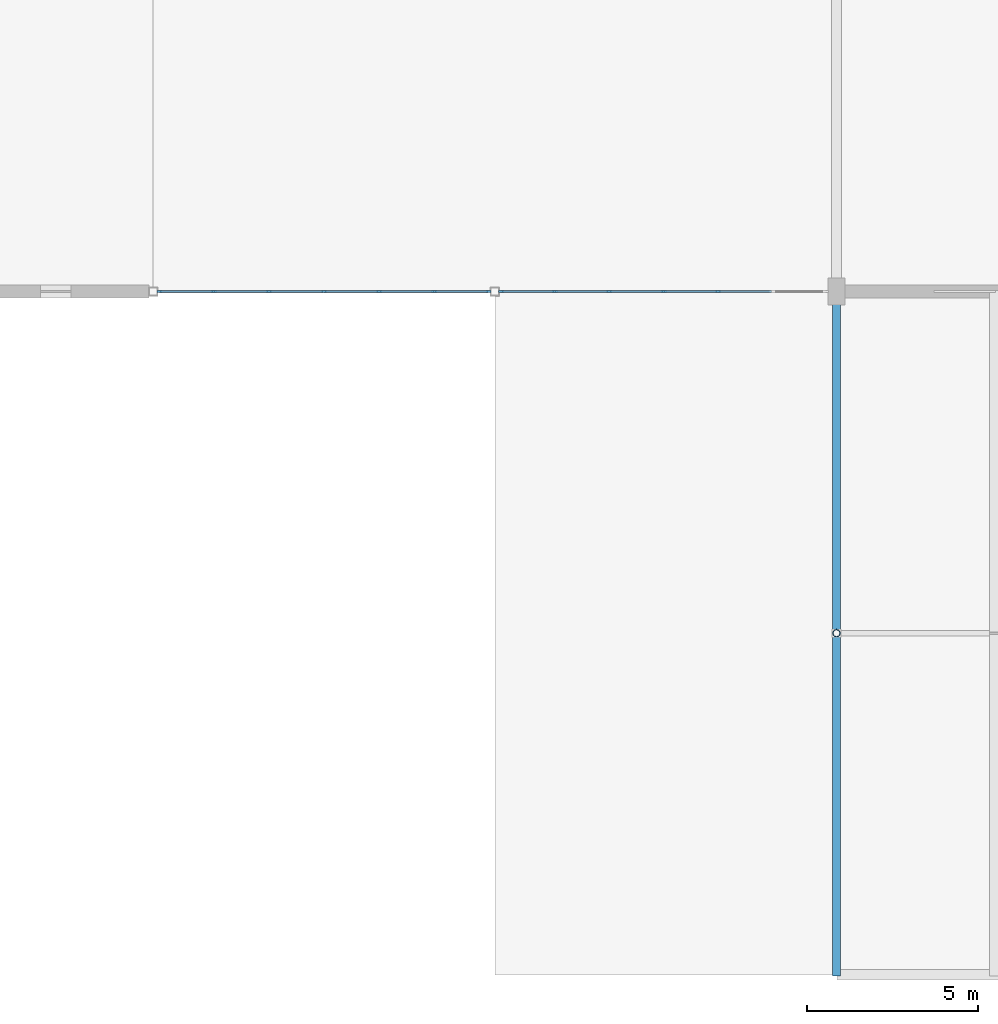
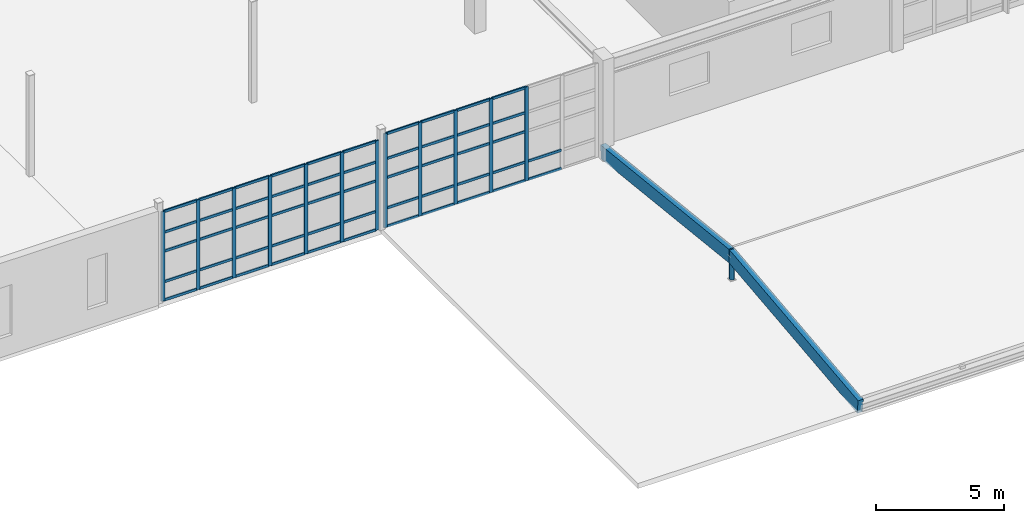
# One storey, part 39 of 139: 67 members, 2 elements without a shape of their own.
"""IFC4 building model written with IfcOpenShell, lengths in metres."""

import ifcopenshell
import ifcopenshell.guid

model = None  # the IFC model being written
_history = None  # IfcOwnerHistory: only IFC2X3 demands one
_inside = {}  # id of a spatial element -> (the spatial element, [elements in it])
_under = {}  # id of a project, library or spatial element -> (it, [spatial elements below it])
_declared = {}  # id of a project -> (the project, [libraries it declares])
_typed = {}  # id of a type object -> (the type object, [elements of that type])
_made_of = {}  # id of a material, layer set ... -> (it, [elements and type objects made of it])


def new_model(schema):
    """Start an empty IFC model of exactly this schema.

    Asked for "IFC4X3", IfcOpenShell would pick the latest addendum, in which some entities
    have other attributes; the version numbers below select the first issue.
    IFC2X3 requires an IfcOwnerHistory on every rooted entity: one is made here for all.
    """
    global model, _history
    if schema == "IFC4X3":
        model = ifcopenshell.file(schema_version=(4, 3, 0, 0))
    else:
        model = ifcopenshell.file(schema=schema)
    _inside.clear()
    _under.clear()
    _declared.clear()
    _typed.clear()
    _made_of.clear()
    _history = None
    if model.schema == "IFC2X3":
        org = make("IfcOrganization", Name="unknown")
        user = make(
            "IfcPersonAndOrganization",
            ThePerson=make("IfcPerson", FamilyName="unknown"),
            TheOrganization=org,
        )
        app = make(
            "IfcApplication",
            ApplicationDeveloper=org,
            Version="unknown",
            ApplicationFullName="unknown",
            ApplicationIdentifier="unknown",
        )
        _history = make(
            "IfcOwnerHistory",
            OwningUser=user,
            OwningApplication=app,
            ChangeAction="ADDED",
            CreationDate=0,
        )
    return model


def make(cls, **values):
    """One entity of the class cls with the attributes given. An attribute that is None is left unset."""
    return model.create_entity(
        cls, **{name: value for name, value in values.items() if value is not None}
    )


def rooted(cls, **values):
    """An entity with a GlobalId (a new one), such as an element, a storey or a relation."""
    return make(cls, GlobalId=ifcopenshell.guid.new(), OwnerHistory=_history, **values)


def si_unit(unit_type, name, prefix=None):
    """IfcSIUnit, for example si_unit("LENGTHUNIT", "METRE", prefix="MILLI")."""
    return make("IfcSIUnit", UnitType=unit_type, Prefix=prefix, Name=name)


def assignment(units):
    """IfcUnitAssignment: the units of a project."""
    return None if units is None else make("IfcUnitAssignment", Units=units)


def point(xyz):
    """IfcCartesianPoint."""
    return None if xyz is None else make("IfcCartesianPoint", Coordinates=xyz)


def direction(xyz):
    """IfcDirection."""
    return None if xyz is None else make("IfcDirection", DirectionRatios=xyz)


def frame(location, z_axis=None, x_axis=None):
    """IfcAxis2Placement3D, a coordinate frame: its origin and axes. An axis left out is left unset."""
    return make(
        "IfcAxis2Placement3D",
        Location=point(location),
        Axis=direction(z_axis),
        RefDirection=direction(x_axis),
    )


def frame_2d(location, x_axis=None):
    """IfcAxis2Placement2D, a coordinate frame in the plane: its origin and x axis."""
    return make(
        "IfcAxis2Placement2D", Location=point(location), RefDirection=direction(x_axis)
    )


def origin():
    """The frame at (0, 0, 0) with its axes left unset."""
    return frame((0.0, 0.0, 0.0))


def origin_2d():
    """The frame at (0, 0) in the plane with its x axis left unset."""
    return frame_2d((0.0, 0.0))


def place(relative_to, where):
    """IfcLocalPlacement: puts the frame where relative to a parent placement (None: the world)."""
    return make(
        "IfcLocalPlacement", PlacementRelTo=relative_to, RelativePlacement=where
    )


def context(
    kind, dimensions, precision=None, world=None, true_north=None, identifier=None
):
    """IfcGeometricRepresentationContext, for example the 3D "Model" context."""
    return make(
        "IfcGeometricRepresentationContext",
        ContextIdentifier=identifier,
        ContextType=kind,
        CoordinateSpaceDimension=dimensions,
        Precision=precision,
        WorldCoordinateSystem=world,
        TrueNorth=true_north,
    )


def subcontext(parent, identifier, kind, view, scale=None):
    """IfcGeometricRepresentationSubContext, for example "Body" below "Model"."""
    return make(
        "IfcGeometricRepresentationSubContext",
        ContextIdentifier=identifier,
        ContextType=kind,
        ParentContext=parent,
        TargetScale=scale,
        TargetView=view,
    )


def project(units=None, contexts=None):
    """IfcProject with its units and contexts."""
    return rooted(
        "IfcProject",
        Name="project",
        RepresentationContexts=contexts,
        UnitsInContext=assignment(units),
    )


def spatial(cls, under=None, at=None, **own):
    """A site, building, storey or space (cls), placed at a placement, below another one or the project."""
    s = rooted(cls, ObjectPlacement=at, **own)
    if under is not None:
        _under.setdefault(under.id(), (under, []))[1].append(s)
    return s


def profile(cls, at=None, kind="AREA", **sizes):
    """A parametric profile (cls). Its sizes go by their IFC names, for example OverallWidth=200.0."""
    return make(cls, ProfileType=kind, Position=at, **sizes)


def rectangle(**sizes):
    """IfcRectangleProfileDef."""
    return profile("IfcRectangleProfileDef", **sizes)


def hollow_circle(**sizes):
    """IfcCircleHollowProfileDef."""
    return profile("IfcCircleHollowProfileDef", **sizes)


def extrude(swept, where, along, depth):
    """IfcExtrudedAreaSolid: the profile swept, set in the frame where, extruded along a direction by depth."""
    return make(
        "IfcExtrudedAreaSolid",
        SweptArea=swept,
        Position=where,
        ExtrudedDirection=direction(along),
        Depth=depth,
    )


def shape(context_of_items, identifier, shape_type, items):
    """IfcShapeRepresentation: the items that make up one representation, for example the "Body"."""
    return make(
        "IfcShapeRepresentation",
        ContextOfItems=context_of_items,
        RepresentationIdentifier=identifier,
        RepresentationType=shape_type,
        Items=items,
    )


def material(Name=None, Category=None):
    """IfcMaterial."""
    return make("IfcMaterial", Name=Name, Category=Category)


def layer(
    of_material, thickness, ventilated=None, Name=None, Category=None, Priority=None
):
    """IfcMaterialLayer: one layer of a wall or slab, of a material (None: an air gap)."""
    return make(
        "IfcMaterialLayer",
        Material=of_material,
        LayerThickness=thickness,
        IsVentilated=ventilated,
        Name=Name,
        Category=Category,
        Priority=Priority,
    )


def layer_set(layers, Name=None):
    """IfcMaterialLayerSet."""
    return make("IfcMaterialLayerSet", MaterialLayers=layers, LayerSetName=Name)


def material_profile(
    of_material, cross_section, Name=None, Category=None, Priority=None
):
    """IfcMaterialProfile: a cross section and its material."""
    return make(
        "IfcMaterialProfile",
        Name=Name,
        Material=of_material,
        Profile=cross_section,
        Priority=Priority,
        Category=Category,
    )


def profile_set(profiles, Name=None, composite=None):
    """IfcMaterialProfileSet."""
    return make(
        "IfcMaterialProfileSet",
        Name=Name,
        MaterialProfiles=profiles,
        CompositeProfile=composite,
    )


def made_of(thing, what):
    """Note that an element or type object is made of a material, layer set ...; save() writes the relation."""
    if what is not None:
        _made_of.setdefault(what.id(), (what, []))[1].append(thing)
    return thing


def type_object(cls, material=None, **own):
    """A type object (cls), such as IfcWallType, which elements share."""
    return made_of(rooted(cls, **own), material)


def element(
    cls,
    number,
    at=None,
    inside=None,
    cuts=None,
    type_object=None,
    material=None,
    context=None,
    identifier="Body",
    shape_type=None,
    held_by="IfcProductDefinitionShape",
    body=None,
    shapes=None,
    **own,
):
    """One element of the class cls, such as IfcWall. Its Tag is "e" and its number.

    at: its placement. inside: the storey or other place that contains it. cuts: it is an
    opening in that element (IfcRelVoidsElement). A single representation is given by context,
    identifier, shape_type and body (its items); several are given by shapes. held_by: the class
    of the entity that holds the representations. save() writes the other relations.
    """
    e = rooted(cls, Tag="e%d" % number, ObjectPlacement=at, **own)
    if body is not None:
        shapes = [shape(context, identifier, shape_type, body)]
    if shapes is not None:
        e.Representation = make(held_by, Representations=shapes)
    if inside is not None:
        _inside.setdefault(inside.id(), (inside, []))[1].append(e)
    if cuts is not None:
        rooted(
            "IfcRelVoidsElement", RelatingBuildingElement=cuts, RelatedOpeningElement=e
        )
    if type_object is not None:
        _typed.setdefault(type_object.id(), (type_object, []))[1].append(e)
    return made_of(e, material)


def aggregate(whole, parts):
    """IfcRelAggregates: a whole, such as a stair, and the parts it consists of."""
    return rooted("IfcRelAggregates", RelatingObject=whole, RelatedObjects=parts)


def save(model, path):
    """Write the relations noted so far, then the file.

    IfcRelAggregates (storeys below a building ...), IfcRelContainedInSpatialStructure (elements
    in a storey), IfcRelDefinesByType, IfcRelAssociatesMaterial and IfcRelDeclares: one each for
    every whole, place, type object, material and project.
    """
    for whole, parts in _under.values():
        aggregate(whole, parts)
    for where, things in _inside.values():
        rooted(
            "IfcRelContainedInSpatialStructure",
            RelatedElements=things,
            RelatingStructure=where,
        )
    for kind, things in _typed.values():
        rooted("IfcRelDefinesByType", RelatedObjects=things, RelatingType=kind)
    for what, things in _made_of.values():
        rooted("IfcRelAssociatesMaterial", RelatedObjects=things, RelatingMaterial=what)
    for by, libraries in _declared.values():
        rooted("IfcRelDeclares", RelatingContext=by, RelatedDefinitions=libraries)
    model.write(path)


model = new_model("IFC4")

# Units and contexts
model_context = context("Model", 3, precision=1e-05, world=origin(), true_north=direction((0.0, 1.0)))
body_context = subcontext(model_context, "Body", "Model", "MODEL_VIEW")
ifc_project = project(units=[si_unit("LENGTHUNIT", "METRE"), si_unit("AREAUNIT", "SQUARE_METRE"), si_unit("VOLUMEUNIT", "CUBIC_METRE"), si_unit("PLANEANGLEUNIT", "RADIAN"), si_unit("MASSUNIT", "GRAM", prefix="KILO"), si_unit("THERMODYNAMICTEMPERATUREUNIT", "KELVIN"), si_unit("POWERUNIT", "WATT")], contexts=[model_context])

# Site, building, storey
site_placement = place(None, origin())
site = spatial("IfcSite", under=ifc_project, at=site_placement, CompositionType="ELEMENT")
building_placement = place(site_placement, origin())
building = spatial("IfcBuilding", under=site, at=building_placement, Name="Korenveer Ferry Terminal", CompositionType="ELEMENT")
storey_placement = place(building_placement, frame((0.0, 0.0, 5.39990234375)))
storey = spatial("IfcBuildingStorey", under=building, at=storey_placement, Name="L01", CompositionType="ELEMENT", Elevation=5.39990234375)

# Curtain wall, members
ifc_material_1 = material(Name="Unitised bronze-and-glass curtain wall", Category="glass")
ifc_layer_1 = layer(ifc_material_1, 0.159912109375)
ifc_layer_set_1 = layer_set([ifc_layer_1], Name="Unitised bronze-and-glass curtain wall")
curtain_wall_type_1 = type_object("IfcCurtainWallType", Name="ENV-CW-40", PredefinedType="USERDEFINED", material=ifc_layer_set_1)
curtain_wall_1_placement = place(storey_placement, frame((103.155029296875, 20.0, 0.0)))
curtain_wall_1 = element("IfcCurtainWall", 1, at=curtain_wall_1_placement, inside=storey, type_object=curtain_wall_type_1, Name="Lancet curtain wall CWX-L01-X103-113-Y20-20", ObjectType="UNITISED CURTAIN WALL", PredefinedType="USERDEFINED")
ifc_material_2 = material(Name="Anodised bronze aluminium", Category="aluminium")
ifc_material_profile_1 = material_profile(ifc_material_2, rectangle(XDim=0.06005859375, YDim=0.159912109375, at=origin_2d()), Name="ALU 60x160")
ifc_profile_set_1 = profile_set([ifc_material_profile_1], Name="Anodised bronze aluminium")
member_type_1 = type_object("IfcMemberType", Name="ENV-CWM-60X160", PredefinedType="MULLION", material=ifc_profile_set_1)
member_1_placement = place(storey_placement, frame((103.18505859375, 20.0, 0.0), z_axis=(0.0, 0.0, 1.0), x_axis=(0.0, 1.0, 0.0)))
member_1 = element("IfcMember", 2, at=member_1_placement, type_object=member_type_1, Name="CW-40 mullion 1", PredefinedType="MULLION", context=body_context, shape_type="SweptSolid", body=[
    extrude(rectangle(XDim=0.06005859375, YDim=0.159912109375, at=origin_2d()), origin(), (0.0, 0.0, 1.0), 4.260009765625),
])
member_2_placement = place(storey_placement, frame((104.77001953125, 20.0, 0.0), z_axis=(0.0, 0.0, 1.0), x_axis=(0.0, 1.0, 0.0)))
member_2 = element("IfcMember", 3, at=member_2_placement, type_object=member_type_1, Name="CW-40 mullion 2", PredefinedType="MULLION", context=body_context, shape_type="SweptSolid", body=[
    extrude(rectangle(XDim=0.06005859375, YDim=0.159912109375, at=origin_2d()), origin(), (0.0, 0.0, 1.0), 4.260009765625),
])
member_3_placement = place(storey_placement, frame((106.385009765625, 20.0, 0.0), z_axis=(0.0, 0.0, 1.0), x_axis=(0.0, 1.0, 0.0)))
member_3 = element("IfcMember", 4, at=member_3_placement, type_object=member_type_1, Name="CW-40 mullion 3", PredefinedType="MULLION", context=body_context, shape_type="SweptSolid", body=[
    extrude(rectangle(XDim=0.06005859375, YDim=0.159912109375, at=origin_2d()), origin(), (0.0, 0.0, 1.0), 4.260009765625),
])
member_4_placement = place(storey_placement, frame((108.0, 20.0, 0.0), z_axis=(0.0, 0.0, 1.0), x_axis=(0.0, 1.0, 0.0)))
member_4 = element("IfcMember", 5, at=member_4_placement, type_object=member_type_1, Name="CW-40 mullion 4", PredefinedType="MULLION", context=body_context, shape_type="SweptSolid", body=[
    extrude(rectangle(XDim=0.06005859375, YDim=0.159912109375, at=origin_2d()), origin(), (0.0, 0.0, 1.0), 4.260009765625),
])
member_5_placement = place(storey_placement, frame((109.614990234375, 20.0, 0.0), z_axis=(0.0, 0.0, 1.0), x_axis=(0.0, 1.0, 0.0)))
member_5 = element("IfcMember", 6, at=member_5_placement, type_object=member_type_1, Name="CW-40 mullion 5", PredefinedType="MULLION", context=body_context, shape_type="SweptSolid", body=[
    extrude(rectangle(XDim=0.06005859375, YDim=0.159912109375, at=origin_2d()), origin(), (0.0, 0.0, 1.0), 4.260009765625),
])
member_6_placement = place(storey_placement, frame((111.22998046875, 20.0, 0.0), z_axis=(0.0, 0.0, 1.0), x_axis=(0.0, 1.0, 0.0)))
member_6 = element("IfcMember", 7, at=member_6_placement, type_object=member_type_1, Name="CW-40 mullion 6", PredefinedType="MULLION", context=body_context, shape_type="SweptSolid", body=[
    extrude(rectangle(XDim=0.06005859375, YDim=0.159912109375, at=origin_2d()), origin(), (0.0, 0.0, 1.0), 4.260009765625),
])
member_7_placement = place(storey_placement, frame((112.81494140625, 20.0, 0.0), z_axis=(0.0, 0.0, 1.0), x_axis=(0.0, 1.0, 0.0)))
member_7 = element("IfcMember", 8, at=member_7_placement, type_object=member_type_1, Name="CW-40 mullion 7", PredefinedType="MULLION", context=body_context, shape_type="SweptSolid", body=[
    extrude(rectangle(XDim=0.06005859375, YDim=0.159912109375, at=origin_2d()), origin(), (0.0, 0.0, 1.0), 4.260009765625),
])

ifc_layer_2 = layer(ifc_material_1, 0.159912109375)
ifc_layer_set_2 = layer_set([ifc_layer_2], Name="Unitised bronze-and-glass curtain wall")
curtain_wall_type_2 = type_object("IfcCurtainWallType", Name="ENV-CW-39", PredefinedType="USERDEFINED", material=ifc_layer_set_2)
curtain_wall_2_placement = place(storey_placement, frame((113.155029296875, 20.0, 0.0)))
curtain_wall_2 = element("IfcCurtainWall", 9, at=curtain_wall_2_placement, inside=storey, type_object=curtain_wall_type_2, Name="Lancet curtain wall CWX-L01-X113-123-Y20-20", ObjectType="UNITISED CURTAIN WALL", PredefinedType="USERDEFINED")
member_8_placement = place(storey_placement, frame((113.18505859375, 20.0, 0.0), z_axis=(0.0, 0.0, 1.0), x_axis=(0.0, 1.0, 0.0)))
member_8 = element("IfcMember", 10, at=member_8_placement, type_object=member_type_1, Name="CW-39 mullion 1", PredefinedType="MULLION", context=body_context, shape_type="SweptSolid", body=[
    extrude(rectangle(XDim=0.06005859375, YDim=0.159912109375, at=origin_2d()), origin(), (0.0, 0.0, 1.0), 4.460205078125),
])
member_9_placement = place(storey_placement, frame((114.749267578125, 20.0, 0.0), z_axis=(0.0, 0.0, 1.0), x_axis=(0.0, 1.0, 0.0)))
member_9 = element("IfcMember", 11, at=member_9_placement, type_object=member_type_1, Name="CW-39 mullion 2", PredefinedType="MULLION", context=body_context, shape_type="SweptSolid", body=[
    extrude(rectangle(XDim=0.06005859375, YDim=0.159912109375, at=origin_2d()), origin(), (0.0, 0.0, 1.0), 4.460205078125),
])
member_10_placement = place(storey_placement, frame((116.34326171875, 20.0, 0.0), z_axis=(0.0, 0.0, 1.0), x_axis=(0.0, 1.0, 0.0)))
member_10 = element("IfcMember", 12, at=member_10_placement, type_object=member_type_1, Name="CW-39 mullion 3", PredefinedType="MULLION", context=body_context, shape_type="SweptSolid", body=[
    extrude(rectangle(XDim=0.06005859375, YDim=0.159912109375, at=origin_2d()), origin(), (0.0, 0.0, 1.0), 4.460205078125),
])
member_11_placement = place(storey_placement, frame((117.9375, 20.0, 0.0), z_axis=(0.0, 0.0, 1.0), x_axis=(0.0, 1.0, 0.0)))
member_11 = element("IfcMember", 13, at=member_11_placement, type_object=member_type_1, Name="CW-39 mullion 4", PredefinedType="MULLION", context=body_context, shape_type="SweptSolid", body=[
    extrude(rectangle(XDim=0.06005859375, YDim=0.159912109375, at=origin_2d()), origin(), (0.0, 0.0, 1.0), 4.460205078125),
])
member_12_placement = place(storey_placement, frame((119.53173828125, 20.0, 0.0), z_axis=(0.0, 0.0, 1.0), x_axis=(0.0, 1.0, 0.0)))
member_12 = element("IfcMember", 14, at=member_12_placement, type_object=member_type_1, Name="CW-39 mullion 5", PredefinedType="MULLION", context=body_context, shape_type="SweptSolid", body=[
    extrude(rectangle(XDim=0.06005859375, YDim=0.159912109375, at=origin_2d()), origin(), (0.0, 0.0, 1.0), 4.460205078125),
])

# Member
ifc_material_profile_2 = material_profile(ifc_material_2, rectangle(XDim=0.06005859375, YDim=0.1201171875, at=origin_2d()), Name="ALU 60x120")
ifc_profile_set_2 = profile_set([ifc_material_profile_2], Name="Anodised bronze aluminium")
member_type_2 = type_object("IfcMemberType", Name="ENV-CWT-60X120", PredefinedType="USERDEFINED", material=ifc_profile_set_2)
member_13_placement = place(storey_placement, frame((103.215087890625, 20.0, 0.030029296875), z_axis=(1.0, 0.0, 0.0), x_axis=(0.0, 1.0, 0.0)))
member_13 = element("IfcMember", 15, at=member_13_placement, type_object=member_type_2, Name="CW-40 transom 1.1", ObjectType="TRANSOM", PredefinedType="USERDEFINED", context=body_context, shape_type="SweptSolid", body=[
    extrude(rectangle(XDim=0.06005859375, YDim=0.1201171875, at=origin_2d()), origin(), (0.0, 0.0, 1.0), 1.52490234375),
])

member_14_placement = place(storey_placement, frame((103.215087890625, 20.0, 0.900146484375), z_axis=(1.0, 0.0, 0.0), x_axis=(0.0, 1.0, 0.0)))
member_14 = element("IfcMember", 16, at=member_14_placement, type_object=member_type_2, Name="CW-40 transom 1.2", ObjectType="TRANSOM", PredefinedType="USERDEFINED", context=body_context, shape_type="SweptSolid", body=[
    extrude(rectangle(XDim=0.06005859375, YDim=0.1201171875, at=origin_2d()), origin(), (0.0, 0.0, 1.0), 1.52490234375),
])

member_15_placement = place(storey_placement, frame((103.215087890625, 20.0, 2.35009765625), z_axis=(1.0, 0.0, 0.0), x_axis=(0.0, 1.0, 0.0)))
member_15 = element("IfcMember", 17, at=member_15_placement, type_object=member_type_2, Name="CW-40 transom 1.3", ObjectType="TRANSOM", PredefinedType="USERDEFINED", context=body_context, shape_type="SweptSolid", body=[
    extrude(rectangle(XDim=0.06005859375, YDim=0.1201171875, at=origin_2d()), origin(), (0.0, 0.0, 1.0), 1.52490234375),
])

member_16_placement = place(storey_placement, frame((103.215087890625, 20.0, 3.25), z_axis=(1.0, 0.0, 0.0), x_axis=(0.0, 1.0, 0.0)))
member_16 = element("IfcMember", 18, at=member_16_placement, type_object=member_type_2, Name="CW-40 transom 1.4", ObjectType="TRANSOM", PredefinedType="USERDEFINED", context=body_context, shape_type="SweptSolid", body=[
    extrude(rectangle(XDim=0.06005859375, YDim=0.1201171875, at=origin_2d()), origin(), (0.0, 0.0, 1.0), 1.52490234375),
])

member_17_placement = place(storey_placement, frame((103.215087890625, 20.0, 4.22998046875), z_axis=(1.0, 0.0, 0.0), x_axis=(0.0, 1.0, 0.0)))
member_17 = element("IfcMember", 19, at=member_17_placement, type_object=member_type_2, Name="CW-40 transom 1.5", ObjectType="TRANSOM", PredefinedType="USERDEFINED", context=body_context, shape_type="SweptSolid", body=[
    extrude(rectangle(XDim=0.06005859375, YDim=0.1201171875, at=origin_2d()), origin(), (0.0, 0.0, 1.0), 1.52490234375),
])

member_18_placement = place(storey_placement, frame((104.800048828125, 20.0, 0.030029296875), z_axis=(1.0, 0.0, 0.0), x_axis=(0.0, 1.0, 0.0)))
member_18 = element("IfcMember", 20, at=member_18_placement, type_object=member_type_2, Name="CW-40 transom 2.1", ObjectType="TRANSOM", PredefinedType="USERDEFINED", context=body_context, shape_type="SweptSolid", body=[
    extrude(rectangle(XDim=0.06005859375, YDim=0.1201171875, at=origin_2d()), origin(), (0.0, 0.0, 1.0), 1.554931640625),
])

member_19_placement = place(storey_placement, frame((104.800048828125, 20.0, 0.900146484375), z_axis=(1.0, 0.0, 0.0), x_axis=(0.0, 1.0, 0.0)))
member_19 = element("IfcMember", 21, at=member_19_placement, type_object=member_type_2, Name="CW-40 transom 2.2", ObjectType="TRANSOM", PredefinedType="USERDEFINED", context=body_context, shape_type="SweptSolid", body=[
    extrude(rectangle(XDim=0.06005859375, YDim=0.1201171875, at=origin_2d()), origin(), (0.0, 0.0, 1.0), 1.554931640625),
])

member_20_placement = place(storey_placement, frame((104.800048828125, 20.0, 2.35009765625), z_axis=(1.0, 0.0, 0.0), x_axis=(0.0, 1.0, 0.0)))
member_20 = element("IfcMember", 22, at=member_20_placement, type_object=member_type_2, Name="CW-40 transom 2.3", ObjectType="TRANSOM", PredefinedType="USERDEFINED", context=body_context, shape_type="SweptSolid", body=[
    extrude(rectangle(XDim=0.06005859375, YDim=0.1201171875, at=origin_2d()), origin(), (0.0, 0.0, 1.0), 1.554931640625),
])

member_21_placement = place(storey_placement, frame((104.800048828125, 20.0, 3.25), z_axis=(1.0, 0.0, 0.0), x_axis=(0.0, 1.0, 0.0)))
member_21 = element("IfcMember", 23, at=member_21_placement, type_object=member_type_2, Name="CW-40 transom 2.4", ObjectType="TRANSOM", PredefinedType="USERDEFINED", context=body_context, shape_type="SweptSolid", body=[
    extrude(rectangle(XDim=0.06005859375, YDim=0.1201171875, at=origin_2d()), origin(), (0.0, 0.0, 1.0), 1.554931640625),
])

member_22_placement = place(storey_placement, frame((104.800048828125, 20.0, 4.22998046875), z_axis=(1.0, 0.0, 0.0), x_axis=(0.0, 1.0, 0.0)))
member_22 = element("IfcMember", 24, at=member_22_placement, type_object=member_type_2, Name="CW-40 transom 2.5", ObjectType="TRANSOM", PredefinedType="USERDEFINED", context=body_context, shape_type="SweptSolid", body=[
    extrude(rectangle(XDim=0.06005859375, YDim=0.1201171875, at=origin_2d()), origin(), (0.0, 0.0, 1.0), 1.554931640625),
])

member_23_placement = place(storey_placement, frame((106.4150390625, 20.0, 0.030029296875), z_axis=(1.0, 0.0, 0.0), x_axis=(0.0, 1.0, 0.0)))
member_23 = element("IfcMember", 25, at=member_23_placement, type_object=member_type_2, Name="CW-40 transom 3.1", ObjectType="TRANSOM", PredefinedType="USERDEFINED", context=body_context, shape_type="SweptSolid", body=[
    extrude(rectangle(XDim=0.06005859375, YDim=0.1201171875, at=origin_2d()), origin(), (0.0, 0.0, 1.0), 1.554931640625),
])

member_24_placement = place(storey_placement, frame((106.4150390625, 20.0, 0.900146484375), z_axis=(1.0, 0.0, 0.0), x_axis=(0.0, 1.0, 0.0)))
member_24 = element("IfcMember", 26, at=member_24_placement, type_object=member_type_2, Name="CW-40 transom 3.2", ObjectType="TRANSOM", PredefinedType="USERDEFINED", context=body_context, shape_type="SweptSolid", body=[
    extrude(rectangle(XDim=0.06005859375, YDim=0.1201171875, at=origin_2d()), origin(), (0.0, 0.0, 1.0), 1.554931640625),
])

member_25_placement = place(storey_placement, frame((106.4150390625, 20.0, 2.35009765625), z_axis=(1.0, 0.0, 0.0), x_axis=(0.0, 1.0, 0.0)))
member_25 = element("IfcMember", 27, at=member_25_placement, type_object=member_type_2, Name="CW-40 transom 3.3", ObjectType="TRANSOM", PredefinedType="USERDEFINED", context=body_context, shape_type="SweptSolid", body=[
    extrude(rectangle(XDim=0.06005859375, YDim=0.1201171875, at=origin_2d()), origin(), (0.0, 0.0, 1.0), 1.554931640625),
])

member_26_placement = place(storey_placement, frame((106.4150390625, 20.0, 3.25), z_axis=(1.0, 0.0, 0.0), x_axis=(0.0, 1.0, 0.0)))
member_26 = element("IfcMember", 28, at=member_26_placement, type_object=member_type_2, Name="CW-40 transom 3.4", ObjectType="TRANSOM", PredefinedType="USERDEFINED", context=body_context, shape_type="SweptSolid", body=[
    extrude(rectangle(XDim=0.06005859375, YDim=0.1201171875, at=origin_2d()), origin(), (0.0, 0.0, 1.0), 1.554931640625),
])

member_27_placement = place(storey_placement, frame((106.4150390625, 20.0, 4.22998046875), z_axis=(1.0, 0.0, 0.0), x_axis=(0.0, 1.0, 0.0)))
member_27 = element("IfcMember", 29, at=member_27_placement, type_object=member_type_2, Name="CW-40 transom 3.5", ObjectType="TRANSOM", PredefinedType="USERDEFINED", context=body_context, shape_type="SweptSolid", body=[
    extrude(rectangle(XDim=0.06005859375, YDim=0.1201171875, at=origin_2d()), origin(), (0.0, 0.0, 1.0), 1.554931640625),
])

member_28_placement = place(storey_placement, frame((108.030029296875, 20.0, 0.030029296875), z_axis=(1.0, 0.0, 0.0), x_axis=(0.0, 1.0, 0.0)))
member_28 = element("IfcMember", 30, at=member_28_placement, type_object=member_type_2, Name="CW-40 transom 4.1", ObjectType="TRANSOM", PredefinedType="USERDEFINED", context=body_context, shape_type="SweptSolid", body=[
    extrude(rectangle(XDim=0.06005859375, YDim=0.1201171875, at=origin_2d()), origin(), (0.0, 0.0, 1.0), 1.554931640625),
])

member_29_placement = place(storey_placement, frame((108.030029296875, 20.0, 0.900146484375), z_axis=(1.0, 0.0, 0.0), x_axis=(0.0, 1.0, 0.0)))
member_29 = element("IfcMember", 31, at=member_29_placement, type_object=member_type_2, Name="CW-40 transom 4.2", ObjectType="TRANSOM", PredefinedType="USERDEFINED", context=body_context, shape_type="SweptSolid", body=[
    extrude(rectangle(XDim=0.06005859375, YDim=0.1201171875, at=origin_2d()), origin(), (0.0, 0.0, 1.0), 1.554931640625),
])

member_30_placement = place(storey_placement, frame((108.030029296875, 20.0, 2.35009765625), z_axis=(1.0, 0.0, 0.0), x_axis=(0.0, 1.0, 0.0)))
member_30 = element("IfcMember", 32, at=member_30_placement, type_object=member_type_2, Name="CW-40 transom 4.3", ObjectType="TRANSOM", PredefinedType="USERDEFINED", context=body_context, shape_type="SweptSolid", body=[
    extrude(rectangle(XDim=0.06005859375, YDim=0.1201171875, at=origin_2d()), origin(), (0.0, 0.0, 1.0), 1.554931640625),
])

member_31_placement = place(storey_placement, frame((108.030029296875, 20.0, 3.25), z_axis=(1.0, 0.0, 0.0), x_axis=(0.0, 1.0, 0.0)))
member_31 = element("IfcMember", 33, at=member_31_placement, type_object=member_type_2, Name="CW-40 transom 4.4", ObjectType="TRANSOM", PredefinedType="USERDEFINED", context=body_context, shape_type="SweptSolid", body=[
    extrude(rectangle(XDim=0.06005859375, YDim=0.1201171875, at=origin_2d()), origin(), (0.0, 0.0, 1.0), 1.554931640625),
])

member_32_placement = place(storey_placement, frame((108.030029296875, 20.0, 4.22998046875), z_axis=(1.0, 0.0, 0.0), x_axis=(0.0, 1.0, 0.0)))
member_32 = element("IfcMember", 34, at=member_32_placement, type_object=member_type_2, Name="CW-40 transom 4.5", ObjectType="TRANSOM", PredefinedType="USERDEFINED", context=body_context, shape_type="SweptSolid", body=[
    extrude(rectangle(XDim=0.06005859375, YDim=0.1201171875, at=origin_2d()), origin(), (0.0, 0.0, 1.0), 1.554931640625),
])

member_33_placement = place(storey_placement, frame((109.64501953125, 20.0, 0.030029296875), z_axis=(1.0, 0.0, 0.0), x_axis=(0.0, 1.0, 0.0)))
member_33 = element("IfcMember", 35, at=member_33_placement, type_object=member_type_2, Name="CW-40 transom 5.1", ObjectType="TRANSOM", PredefinedType="USERDEFINED", context=body_context, shape_type="SweptSolid", body=[
    extrude(rectangle(XDim=0.06005859375, YDim=0.1201171875, at=origin_2d()), origin(), (0.0, 0.0, 1.0), 1.554931640625),
])

member_34_placement = place(storey_placement, frame((109.64501953125, 20.0, 0.900146484375), z_axis=(1.0, 0.0, 0.0), x_axis=(0.0, 1.0, 0.0)))
member_34 = element("IfcMember", 36, at=member_34_placement, type_object=member_type_2, Name="CW-40 transom 5.2", ObjectType="TRANSOM", PredefinedType="USERDEFINED", context=body_context, shape_type="SweptSolid", body=[
    extrude(rectangle(XDim=0.06005859375, YDim=0.1201171875, at=origin_2d()), origin(), (0.0, 0.0, 1.0), 1.554931640625),
])

member_35_placement = place(storey_placement, frame((109.64501953125, 20.0, 2.35009765625), z_axis=(1.0, 0.0, 0.0), x_axis=(0.0, 1.0, 0.0)))
member_35 = element("IfcMember", 37, at=member_35_placement, type_object=member_type_2, Name="CW-40 transom 5.3", ObjectType="TRANSOM", PredefinedType="USERDEFINED", context=body_context, shape_type="SweptSolid", body=[
    extrude(rectangle(XDim=0.06005859375, YDim=0.1201171875, at=origin_2d()), origin(), (0.0, 0.0, 1.0), 1.554931640625),
])

member_36_placement = place(storey_placement, frame((109.64501953125, 20.0, 3.25), z_axis=(1.0, 0.0, 0.0), x_axis=(0.0, 1.0, 0.0)))
member_36 = element("IfcMember", 38, at=member_36_placement, type_object=member_type_2, Name="CW-40 transom 5.4", ObjectType="TRANSOM", PredefinedType="USERDEFINED", context=body_context, shape_type="SweptSolid", body=[
    extrude(rectangle(XDim=0.06005859375, YDim=0.1201171875, at=origin_2d()), origin(), (0.0, 0.0, 1.0), 1.554931640625),
])

member_37_placement = place(storey_placement, frame((109.64501953125, 20.0, 4.22998046875), z_axis=(1.0, 0.0, 0.0), x_axis=(0.0, 1.0, 0.0)))
member_37 = element("IfcMember", 39, at=member_37_placement, type_object=member_type_2, Name="CW-40 transom 5.5", ObjectType="TRANSOM", PredefinedType="USERDEFINED", context=body_context, shape_type="SweptSolid", body=[
    extrude(rectangle(XDim=0.06005859375, YDim=0.1201171875, at=origin_2d()), origin(), (0.0, 0.0, 1.0), 1.554931640625),
])

member_38_placement = place(storey_placement, frame((111.260009765625, 20.0, 0.030029296875), z_axis=(1.0, 0.0, 0.0), x_axis=(0.0, 1.0, 0.0)))
member_38 = element("IfcMember", 40, at=member_38_placement, type_object=member_type_2, Name="CW-40 transom 6.1", ObjectType="TRANSOM", PredefinedType="USERDEFINED", context=body_context, shape_type="SweptSolid", body=[
    extrude(rectangle(XDim=0.06005859375, YDim=0.1201171875, at=origin_2d()), origin(), (0.0, 0.0, 1.0), 1.52490234375),
])

member_39_placement = place(storey_placement, frame((111.260009765625, 20.0, 0.900146484375), z_axis=(1.0, 0.0, 0.0), x_axis=(0.0, 1.0, 0.0)))
member_39 = element("IfcMember", 41, at=member_39_placement, type_object=member_type_2, Name="CW-40 transom 6.2", ObjectType="TRANSOM", PredefinedType="USERDEFINED", context=body_context, shape_type="SweptSolid", body=[
    extrude(rectangle(XDim=0.06005859375, YDim=0.1201171875, at=origin_2d()), origin(), (0.0, 0.0, 1.0), 1.52490234375),
])

member_40_placement = place(storey_placement, frame((111.260009765625, 20.0, 2.35009765625), z_axis=(1.0, 0.0, 0.0), x_axis=(0.0, 1.0, 0.0)))
member_40 = element("IfcMember", 42, at=member_40_placement, type_object=member_type_2, Name="CW-40 transom 6.3", ObjectType="TRANSOM", PredefinedType="USERDEFINED", context=body_context, shape_type="SweptSolid", body=[
    extrude(rectangle(XDim=0.06005859375, YDim=0.1201171875, at=origin_2d()), origin(), (0.0, 0.0, 1.0), 1.52490234375),
])

member_41_placement = place(storey_placement, frame((111.260009765625, 20.0, 3.25), z_axis=(1.0, 0.0, 0.0), x_axis=(0.0, 1.0, 0.0)))
member_41 = element("IfcMember", 43, at=member_41_placement, type_object=member_type_2, Name="CW-40 transom 6.4", ObjectType="TRANSOM", PredefinedType="USERDEFINED", context=body_context, shape_type="SweptSolid", body=[
    extrude(rectangle(XDim=0.06005859375, YDim=0.1201171875, at=origin_2d()), origin(), (0.0, 0.0, 1.0), 1.52490234375),
])

member_42_placement = place(storey_placement, frame((111.260009765625, 20.0, 4.22998046875), z_axis=(1.0, 0.0, 0.0), x_axis=(0.0, 1.0, 0.0)))
member_42 = element("IfcMember", 44, at=member_42_placement, type_object=member_type_2, Name="CW-40 transom 6.5", ObjectType="TRANSOM", PredefinedType="USERDEFINED", context=body_context, shape_type="SweptSolid", body=[
    extrude(rectangle(XDim=0.06005859375, YDim=0.1201171875, at=origin_2d()), origin(), (0.0, 0.0, 1.0), 1.52490234375),
])

aggregate(curtain_wall_1, [member_1, member_2, member_3, member_4, member_5, member_6, member_7, member_13, member_14, member_15, member_16, member_17, member_18, member_19, member_20, member_21, member_22, member_23, member_24, member_25, member_26, member_27, member_28, member_29, member_30, member_31, member_32, member_33, member_34, member_35, member_36, member_37, member_38, member_39, member_40, member_41, member_42])

member_43_placement = place(storey_placement, frame((113.215087890625, 20.0, 0.030029296875), z_axis=(1.0, 0.0, 0.0), x_axis=(0.0, 1.0, 0.0)))
member_43 = element("IfcMember", 45, at=member_43_placement, type_object=member_type_2, Name="CW-39 transom 1.1", ObjectType="TRANSOM", PredefinedType="USERDEFINED", context=body_context, shape_type="SweptSolid", body=[
    extrude(rectangle(XDim=0.06005859375, YDim=0.1201171875, at=origin_2d()), origin(), (0.0, 0.0, 1.0), 1.504150390625),
])

member_44_placement = place(storey_placement, frame((113.215087890625, 20.0, 0.900146484375), z_axis=(1.0, 0.0, 0.0), x_axis=(0.0, 1.0, 0.0)))
member_44 = element("IfcMember", 46, at=member_44_placement, type_object=member_type_2, Name="CW-39 transom 1.2", ObjectType="TRANSOM", PredefinedType="USERDEFINED", context=body_context, shape_type="SweptSolid", body=[
    extrude(rectangle(XDim=0.06005859375, YDim=0.1201171875, at=origin_2d()), origin(), (0.0, 0.0, 1.0), 1.504150390625),
])

member_45_placement = place(storey_placement, frame((113.215087890625, 20.0, 2.35009765625), z_axis=(1.0, 0.0, 0.0), x_axis=(0.0, 1.0, 0.0)))
member_45 = element("IfcMember", 47, at=member_45_placement, type_object=member_type_2, Name="CW-39 transom 1.3", ObjectType="TRANSOM", PredefinedType="USERDEFINED", context=body_context, shape_type="SweptSolid", body=[
    extrude(rectangle(XDim=0.06005859375, YDim=0.1201171875, at=origin_2d()), origin(), (0.0, 0.0, 1.0), 1.504150390625),
])

member_46_placement = place(storey_placement, frame((113.215087890625, 20.0, 3.25), z_axis=(1.0, 0.0, 0.0), x_axis=(0.0, 1.0, 0.0)))
member_46 = element("IfcMember", 48, at=member_46_placement, type_object=member_type_2, Name="CW-39 transom 1.4", ObjectType="TRANSOM", PredefinedType="USERDEFINED", context=body_context, shape_type="SweptSolid", body=[
    extrude(rectangle(XDim=0.06005859375, YDim=0.1201171875, at=origin_2d()), origin(), (0.0, 0.0, 1.0), 1.504150390625),
])

member_47_placement = place(storey_placement, frame((113.215087890625, 20.0, 4.43017578125), z_axis=(1.0, 0.0, 0.0), x_axis=(0.0, 1.0, 0.0)))
member_47 = element("IfcMember", 49, at=member_47_placement, type_object=member_type_2, Name="CW-39 transom 1.5", ObjectType="TRANSOM", PredefinedType="USERDEFINED", context=body_context, shape_type="SweptSolid", body=[
    extrude(rectangle(XDim=0.06005859375, YDim=0.1201171875, at=origin_2d()), origin(), (0.0, 0.0, 1.0), 1.504150390625),
])

member_48_placement = place(storey_placement, frame((114.779052734375, 20.0, 0.030029296875), z_axis=(1.0, 0.0, 0.0), x_axis=(0.0, 1.0, 0.0)))
member_48 = element("IfcMember", 50, at=member_48_placement, type_object=member_type_2, Name="CW-39 transom 2.1", ObjectType="TRANSOM", PredefinedType="USERDEFINED", context=body_context, shape_type="SweptSolid", body=[
    extrude(rectangle(XDim=0.06005859375, YDim=0.1201171875, at=origin_2d()), origin(), (0.0, 0.0, 1.0), 1.5341796875),
])

member_49_placement = place(storey_placement, frame((114.779052734375, 20.0, 0.900146484375), z_axis=(1.0, 0.0, 0.0), x_axis=(0.0, 1.0, 0.0)))
member_49 = element("IfcMember", 51, at=member_49_placement, type_object=member_type_2, Name="CW-39 transom 2.2", ObjectType="TRANSOM", PredefinedType="USERDEFINED", context=body_context, shape_type="SweptSolid", body=[
    extrude(rectangle(XDim=0.06005859375, YDim=0.1201171875, at=origin_2d()), origin(), (0.0, 0.0, 1.0), 1.5341796875),
])

member_50_placement = place(storey_placement, frame((114.779052734375, 20.0, 2.35009765625), z_axis=(1.0, 0.0, 0.0), x_axis=(0.0, 1.0, 0.0)))
member_50 = element("IfcMember", 52, at=member_50_placement, type_object=member_type_2, Name="CW-39 transom 2.3", ObjectType="TRANSOM", PredefinedType="USERDEFINED", context=body_context, shape_type="SweptSolid", body=[
    extrude(rectangle(XDim=0.06005859375, YDim=0.1201171875, at=origin_2d()), origin(), (0.0, 0.0, 1.0), 1.5341796875),
])

member_51_placement = place(storey_placement, frame((114.779052734375, 20.0, 3.25), z_axis=(1.0, 0.0, 0.0), x_axis=(0.0, 1.0, 0.0)))
member_51 = element("IfcMember", 53, at=member_51_placement, type_object=member_type_2, Name="CW-39 transom 2.4", ObjectType="TRANSOM", PredefinedType="USERDEFINED", context=body_context, shape_type="SweptSolid", body=[
    extrude(rectangle(XDim=0.06005859375, YDim=0.1201171875, at=origin_2d()), origin(), (0.0, 0.0, 1.0), 1.5341796875),
])

member_52_placement = place(storey_placement, frame((114.779052734375, 20.0, 4.43017578125), z_axis=(1.0, 0.0, 0.0), x_axis=(0.0, 1.0, 0.0)))
member_52 = element("IfcMember", 54, at=member_52_placement, type_object=member_type_2, Name="CW-39 transom 2.5", ObjectType="TRANSOM", PredefinedType="USERDEFINED", context=body_context, shape_type="SweptSolid", body=[
    extrude(rectangle(XDim=0.06005859375, YDim=0.1201171875, at=origin_2d()), origin(), (0.0, 0.0, 1.0), 1.5341796875),
])

member_53_placement = place(storey_placement, frame((116.373291015625, 20.0, 0.030029296875), z_axis=(1.0, 0.0, 0.0), x_axis=(0.0, 1.0, 0.0)))
member_53 = element("IfcMember", 55, at=member_53_placement, type_object=member_type_2, Name="CW-39 transom 3.1", ObjectType="TRANSOM", PredefinedType="USERDEFINED", context=body_context, shape_type="SweptSolid", body=[
    extrude(rectangle(XDim=0.06005859375, YDim=0.1201171875, at=origin_2d()), origin(), (0.0, 0.0, 1.0), 1.5341796875),
])

member_54_placement = place(storey_placement, frame((116.373291015625, 20.0, 0.900146484375), z_axis=(1.0, 0.0, 0.0), x_axis=(0.0, 1.0, 0.0)))
member_54 = element("IfcMember", 56, at=member_54_placement, type_object=member_type_2, Name="CW-39 transom 3.2", ObjectType="TRANSOM", PredefinedType="USERDEFINED", context=body_context, shape_type="SweptSolid", body=[
    extrude(rectangle(XDim=0.06005859375, YDim=0.1201171875, at=origin_2d()), origin(), (0.0, 0.0, 1.0), 1.5341796875),
])

member_55_placement = place(storey_placement, frame((116.373291015625, 20.0, 2.35009765625), z_axis=(1.0, 0.0, 0.0), x_axis=(0.0, 1.0, 0.0)))
member_55 = element("IfcMember", 57, at=member_55_placement, type_object=member_type_2, Name="CW-39 transom 3.3", ObjectType="TRANSOM", PredefinedType="USERDEFINED", context=body_context, shape_type="SweptSolid", body=[
    extrude(rectangle(XDim=0.06005859375, YDim=0.1201171875, at=origin_2d()), origin(), (0.0, 0.0, 1.0), 1.5341796875),
])

member_56_placement = place(storey_placement, frame((116.373291015625, 20.0, 3.25), z_axis=(1.0, 0.0, 0.0), x_axis=(0.0, 1.0, 0.0)))
member_56 = element("IfcMember", 58, at=member_56_placement, type_object=member_type_2, Name="CW-39 transom 3.4", ObjectType="TRANSOM", PredefinedType="USERDEFINED", context=body_context, shape_type="SweptSolid", body=[
    extrude(rectangle(XDim=0.06005859375, YDim=0.1201171875, at=origin_2d()), origin(), (0.0, 0.0, 1.0), 1.5341796875),
])

member_57_placement = place(storey_placement, frame((116.373291015625, 20.0, 4.43017578125), z_axis=(1.0, 0.0, 0.0), x_axis=(0.0, 1.0, 0.0)))
member_57 = element("IfcMember", 59, at=member_57_placement, type_object=member_type_2, Name="CW-39 transom 3.5", ObjectType="TRANSOM", PredefinedType="USERDEFINED", context=body_context, shape_type="SweptSolid", body=[
    extrude(rectangle(XDim=0.06005859375, YDim=0.1201171875, at=origin_2d()), origin(), (0.0, 0.0, 1.0), 1.5341796875),
])

member_58_placement = place(storey_placement, frame((117.967529296875, 20.0, 0.030029296875), z_axis=(1.0, 0.0, 0.0), x_axis=(0.0, 1.0, 0.0)))
member_58 = element("IfcMember", 60, at=member_58_placement, type_object=member_type_2, Name="CW-39 transom 4.1", ObjectType="TRANSOM", PredefinedType="USERDEFINED", context=body_context, shape_type="SweptSolid", body=[
    extrude(rectangle(XDim=0.06005859375, YDim=0.1201171875, at=origin_2d()), origin(), (0.0, 0.0, 1.0), 1.5341796875),
])

member_59_placement = place(storey_placement, frame((117.967529296875, 20.0, 0.900146484375), z_axis=(1.0, 0.0, 0.0), x_axis=(0.0, 1.0, 0.0)))
member_59 = element("IfcMember", 61, at=member_59_placement, type_object=member_type_2, Name="CW-39 transom 4.2", ObjectType="TRANSOM", PredefinedType="USERDEFINED", context=body_context, shape_type="SweptSolid", body=[
    extrude(rectangle(XDim=0.06005859375, YDim=0.1201171875, at=origin_2d()), origin(), (0.0, 0.0, 1.0), 1.5341796875),
])

member_60_placement = place(storey_placement, frame((117.967529296875, 20.0, 2.35009765625), z_axis=(1.0, 0.0, 0.0), x_axis=(0.0, 1.0, 0.0)))
member_60 = element("IfcMember", 62, at=member_60_placement, type_object=member_type_2, Name="CW-39 transom 4.3", ObjectType="TRANSOM", PredefinedType="USERDEFINED", context=body_context, shape_type="SweptSolid", body=[
    extrude(rectangle(XDim=0.06005859375, YDim=0.1201171875, at=origin_2d()), origin(), (0.0, 0.0, 1.0), 1.5341796875),
])

member_61_placement = place(storey_placement, frame((117.967529296875, 20.0, 3.25), z_axis=(1.0, 0.0, 0.0), x_axis=(0.0, 1.0, 0.0)))
member_61 = element("IfcMember", 63, at=member_61_placement, type_object=member_type_2, Name="CW-39 transom 4.4", ObjectType="TRANSOM", PredefinedType="USERDEFINED", context=body_context, shape_type="SweptSolid", body=[
    extrude(rectangle(XDim=0.06005859375, YDim=0.1201171875, at=origin_2d()), origin(), (0.0, 0.0, 1.0), 1.5341796875),
])

member_62_placement = place(storey_placement, frame((117.967529296875, 20.0, 4.43017578125), z_axis=(1.0, 0.0, 0.0), x_axis=(0.0, 1.0, 0.0)))
member_62 = element("IfcMember", 64, at=member_62_placement, type_object=member_type_2, Name="CW-39 transom 4.5", ObjectType="TRANSOM", PredefinedType="USERDEFINED", context=body_context, shape_type="SweptSolid", body=[
    extrude(rectangle(XDim=0.06005859375, YDim=0.1201171875, at=origin_2d()), origin(), (0.0, 0.0, 1.0), 1.5341796875),
])

member_63_placement = place(storey_placement, frame((119.561767578125, 20.0, 0.030029296875), z_axis=(1.0, 0.0, 0.0), x_axis=(0.0, 1.0, 0.0)))
member_63 = element("IfcMember", 65, at=member_63_placement, type_object=member_type_2, Name="CW-39 transom 5.1", ObjectType="TRANSOM", PredefinedType="USERDEFINED", context=body_context, shape_type="SweptSolid", body=[
    extrude(rectangle(XDim=0.06005859375, YDim=0.1201171875, at=origin_2d()), origin(), (0.0, 0.0, 1.0), 1.5341796875),
])

member_64_placement = place(storey_placement, frame((119.561767578125, 20.0, 0.900146484375), z_axis=(1.0, 0.0, 0.0), x_axis=(0.0, 1.0, 0.0)))
member_64 = element("IfcMember", 66, at=member_64_placement, type_object=member_type_2, Name="CW-39 transom 5.2", ObjectType="TRANSOM", PredefinedType="USERDEFINED", context=body_context, shape_type="SweptSolid", body=[
    extrude(rectangle(XDim=0.06005859375, YDim=0.1201171875, at=origin_2d()), origin(), (0.0, 0.0, 1.0), 1.5341796875),
])

aggregate(curtain_wall_2, [member_8, member_9, member_10, member_11, member_12, member_43, member_44, member_45, member_46, member_47, member_48, member_49, member_50, member_51, member_52, member_53, member_54, member_55, member_56, member_57, member_58, member_59, member_60, member_61, member_62, member_63, member_64])

# Members
ifc_material_3 = material(Name="Glulam GL28h", Category="wood")
ifc_material_profile_3 = material_profile(ifc_material_3, rectangle(XDim=0.239990234375, YDim=0.639892578125, at=origin_2d()), Name="GL 240x640")
ifc_profile_set_3 = profile_set([ifc_material_profile_3], Name="Glulam GL28h")
member_type_3 = type_object("IfcMemberType", Name="STR-RAF-GL240", PredefinedType="RAFTER", material=ifc_profile_set_3)
for number, where, z_axis, x_axis, name in (
    (67, (123.0, 0.0, 0.18017578125), (0.0, 0.994005938353, 0.109326092585), (-1.0, 0.0, 0.0), "Canopy glulam rafter 193"),
    (68, (123.0, 10.0, 1.280029296875), (0.0, 0.994005938353, -0.109326092585), (-1.0, 0.0, 0.0), "Canopy glulam rafter 194"),
):
    element("IfcMember", number, at=place(storey_placement, frame(where, z_axis=z_axis, x_axis=x_axis)), inside=storey, type_object=member_type_3, Name=name, PredefinedType="RAFTER", context=body_context, shape_type="SweptSolid", body=[
        extrude(rectangle(XDim=0.239990234375, YDim=0.639892578125, at=origin_2d()), origin(), (0.0, 0.0, 1.0), 10.060302734375),
    ])
ifc_material_4 = material(Name="Steel S355", Category="steel")
ifc_material_profile_4 = material_profile(ifc_material_4, hollow_circle(Radius=0.109619140625, WallThickness=0.012451171875, at=origin_2d()), Name="CHS 219.1x12.5")
ifc_profile_set_4 = profile_set([ifc_material_profile_4], Name="Steel S355")
member_type_4 = type_object("IfcMemberType", Name="STR-STT-CHS219", PredefinedType="STRUT", material=ifc_profile_set_4)
member_65_placement = place(storey_placement, frame((123.0, 10.0, 0.18017578125), z_axis=(0.0, 0.0, 1.0), x_axis=(1.0, 0.0, 0.0)))
element("IfcMember", 69, at=member_65_placement, inside=storey, type_object=member_type_4, Name="Canopy ridge king-post STTFC-FCE-X123", PredefinedType="STRUT", context=body_context, shape_type="SweptSolid", body=[
    extrude(hollow_circle(Radius=0.109619140625, WallThickness=0.012451171875, at=origin_2d()), origin(), (0.0, 0.0, 1.0), 1.099853515625),
])

save(model, "model.ifc")
